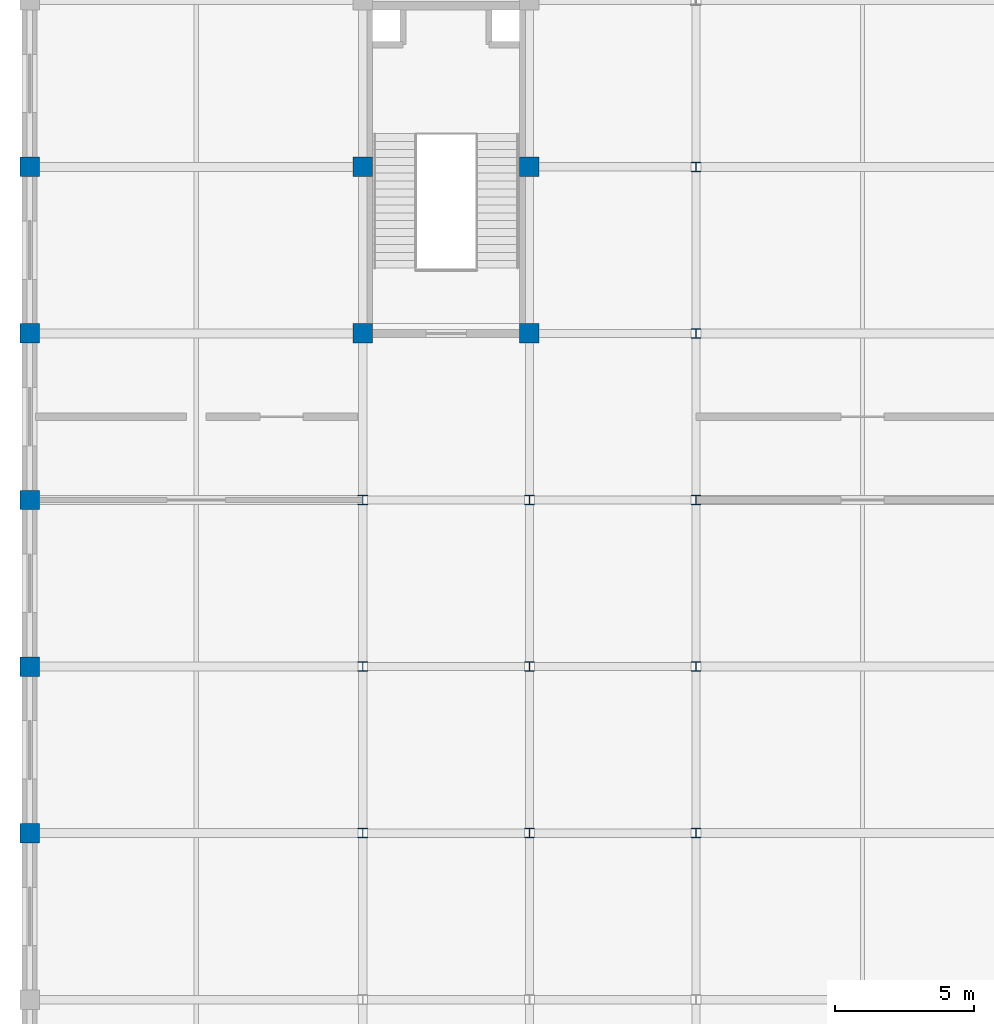
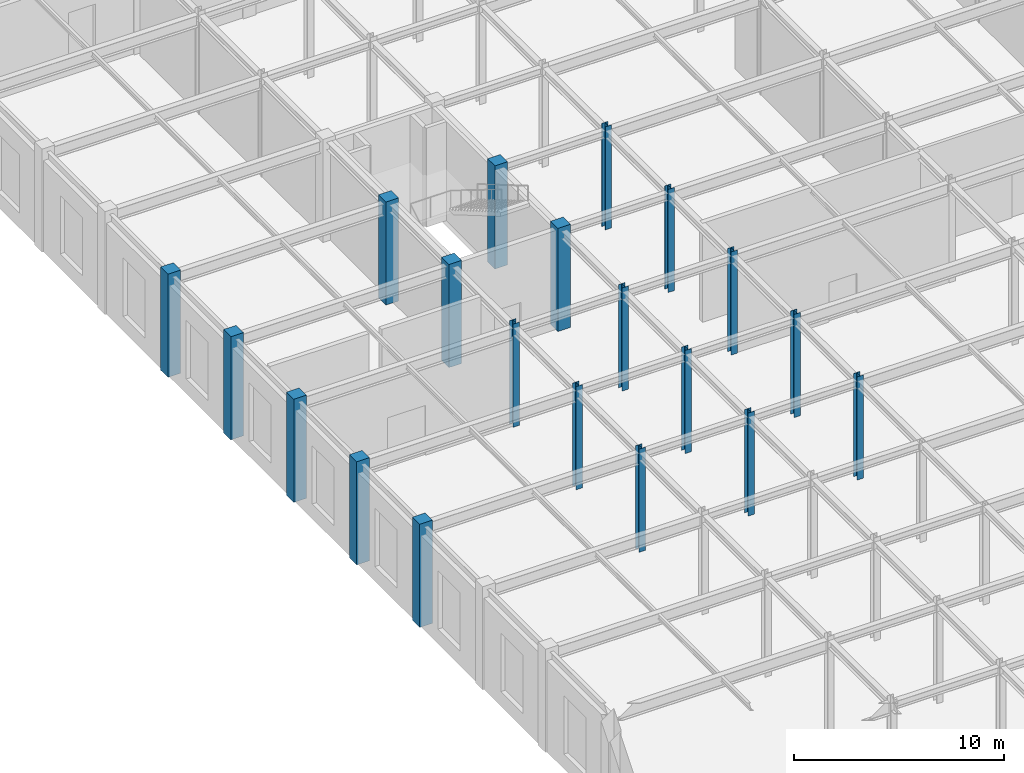
# One storey, part 13 of 51: 20 columns.
"""IFC4 building model written with IfcOpenShell, lengths in metres."""

from ifc_helpers import new_model, si_unit, direction, frame, origin, origin_2d, place, context, subcontext, project, spatial, rectangle, i_section, extrude, material, material_profile, profile_set, type_object, element, save


model = new_model("IFC4")

# Units and contexts
model_context = context("Model", 3, precision=1e-05, world=origin(), true_north=direction((0.0, 1.0)))
body_context = subcontext(model_context, "Body", "Model", "MODEL_VIEW")
ifc_project = project(units=[si_unit("LENGTHUNIT", "METRE"), si_unit("AREAUNIT", "SQUARE_METRE"), si_unit("VOLUMEUNIT", "CUBIC_METRE"), si_unit("PLANEANGLEUNIT", "RADIAN"), si_unit("MASSUNIT", "GRAM", prefix="KILO")], contexts=[model_context])

# Site, building, storey
site_placement = place(None, origin())
site = spatial("IfcSite", under=ifc_project, at=site_placement, CompositionType="ELEMENT")
building_placement = place(site_placement, origin())
building = spatial("IfcBuilding", under=site, at=building_placement, Name="Zlatovratsky Civic Hall", CompositionType="ELEMENT")
storey_placement = place(building_placement, origin())
storey = spatial("IfcBuildingStorey", under=building, at=storey_placement, Name="L01", CompositionType="ELEMENT", Elevation=0.0)

# Columns
ifc_material_1 = material(Name="Concrete C35/45 (B40)", Category="concrete")
ifc_material_profile_1 = material_profile(ifc_material_1, rectangle(XDim=0.699951171875, YDim=0.699951171875, at=origin_2d()), Name="RC 700x700")
ifc_profile_set_1 = profile_set([ifc_material_profile_1], Name="Concrete C35/45 (B40)")
column_type_1 = type_object("IfcColumnType", Name="Col_CorePier_RC700", PredefinedType="COLUMN", material=ifc_profile_set_1)
for number, where, z_axis, x_axis, name in (
    (1, (0.0, 66.0, 0.0), (0.0, 0.0, 1.0), (1.0, 0.0, 0.0), "CL-0615"),
    (2, (0.0, 72.0, 0.0), (0.0, 0.0, 1.0), (1.0, 0.0, 0.0), "CL-0638"),
    (3, (0.0, 78.0, 0.0), (0.0, 0.0, 1.0), (1.0, 0.0, 0.0), "CL-0661"),
    (4, (0.0, 84.0, 0.0), (0.0, 0.0, 1.0), (1.0, 0.0, 0.0), "CL-0684"),
    (5, (12.0, 84.0, 0.0), (0.0, 0.0, 1.0), (1.0, 0.0, 0.0), "CL-0685"),
    (6, (18.0, 84.0, 0.0), (0.0, 0.0, 1.0), (1.0, 0.0, 0.0), "CL-0686"),
    (7, (0.0, 90.0, 0.0), (0.0, 0.0, 1.0), (1.0, 0.0, 0.0), "CL-0707"),
    (8, (12.0, 90.0, 0.0), (0.0, 0.0, 1.0), (1.0, 0.0, 0.0), "CL-0708"),
    (9, (18.0, 90.0, 0.0), (0.0, 0.0, 1.0), (1.0, 0.0, 0.0), "CL-0709"),
):
    element("IfcColumn", number, at=place(storey_placement, frame(where, z_axis=z_axis, x_axis=x_axis)), inside=storey, type_object=column_type_1, Name=name, PredefinedType="COLUMN", context=body_context, shape_type="SweptSolid", body=[
        extrude(rectangle(XDim=0.699951171875, YDim=0.699951171875, at=origin_2d()), origin(), (0.0, 0.0, 1.0), 6.0),
    ])
ifc_material_2 = material(Name="Steel S355", Category="steel")
ifc_material_profile_2 = material_profile(ifc_material_2, i_section(OverallWidth=0.35009765625, OverallDepth=0.343017578125, WebThickness=0.010009765625, FlangeThickness=0.014892578125, FilletRadius=0.02001953125, at=origin_2d()), Name="35K1")
ifc_profile_set_2 = profile_set([ifc_material_profile_2], Name="Steel S355")
column_type_2 = type_object("IfcColumnType", Name="Col_Steel_35K1", PredefinedType="COLUMN", material=ifc_profile_set_2)
for number, where, z_axis, x_axis, name in (
    (10, (12.0, 66.0, 0.0), (0.0, 0.0, 1.0), (1.0, 0.0, 0.0), "CL-0616"),
    (11, (18.0, 66.0, 0.0), (0.0, 0.0, 1.0), (1.0, 0.0, 0.0), "CL-0617"),
    (12, (24.0, 66.0, 0.0), (0.0, 0.0, 1.0), (1.0, 0.0, 0.0), "CL-0618"),
    (13, (12.0, 72.0, 0.0), (0.0, 0.0, 1.0), (1.0, 0.0, 0.0), "CL-0639"),
    (14, (18.0, 72.0, 0.0), (0.0, 0.0, 1.0), (1.0, 0.0, 0.0), "CL-0640"),
    (15, (24.0, 72.0, 0.0), (0.0, 0.0, 1.0), (1.0, 0.0, 0.0), "CL-0641"),
    (16, (12.0, 78.0, 0.0), (0.0, 0.0, 1.0), (1.0, 0.0, 0.0), "CL-0662"),
    (17, (18.0, 78.0, 0.0), (0.0, 0.0, 1.0), (1.0, 0.0, 0.0), "CL-0663"),
    (18, (24.0, 78.0, 0.0), (0.0, 0.0, 1.0), (1.0, 0.0, 0.0), "CL-0664"),
    (19, (24.0, 84.0, 0.0), (0.0, 0.0, 1.0), (1.0, 0.0, 0.0), "CL-0687"),
    (20, (24.0, 90.0, 0.0), (0.0, 0.0, 1.0), (1.0, 0.0, 0.0), "CL-0710"),
):
    element("IfcColumn", number, at=place(storey_placement, frame(where, z_axis=z_axis, x_axis=x_axis)), inside=storey, type_object=column_type_2, Name=name, PredefinedType="COLUMN", context=body_context, shape_type="SweptSolid", body=[
        extrude(i_section(OverallWidth=0.35009765625, OverallDepth=0.343017578125, WebThickness=0.010009765625, FlangeThickness=0.014892578125, FilletRadius=0.02001953125, at=origin_2d()), origin(), (0.0, 0.0, 1.0), 6.0),
    ])

save(model, "model.ifc")
